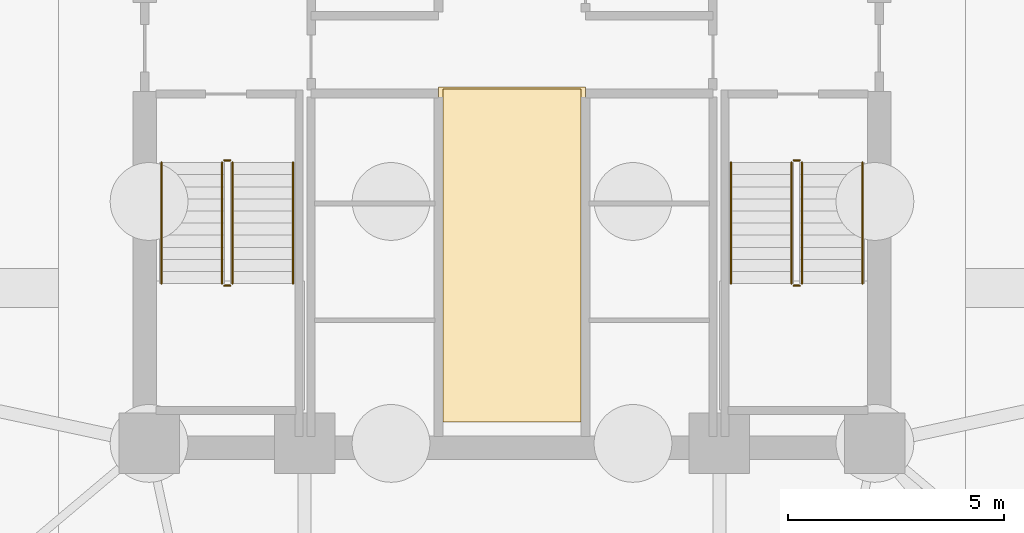
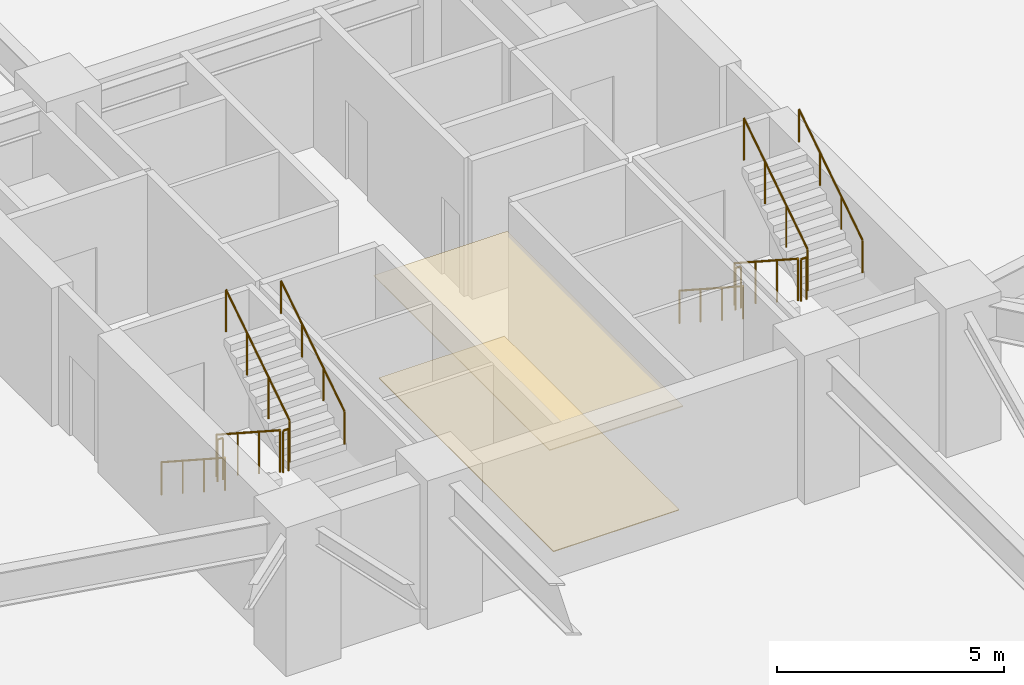
# One storey, part 9 of 10: 12 railings, 2 coverings.
"""IFC4 building model written with IfcOpenShell, lengths in metres."""

from ifc_helpers import new_model, si_unit, direction, frame, origin, origin_2d, place, context, subcontext, project, spatial, polyline, circle, outline, extrude, material, layer, layer_set, type_object, element, save


model = new_model("IFC4")

# Units and contexts
model_context = context("Model", 3, precision=1e-05, world=origin(), true_north=direction((0.0, 1.0)))
body_context = subcontext(model_context, "Body", "Model", "MODEL_VIEW")
ifc_project = project(units=[si_unit("LENGTHUNIT", "METRE"), si_unit("AREAUNIT", "SQUARE_METRE"), si_unit("VOLUMEUNIT", "CUBIC_METRE"), si_unit("PLANEANGLEUNIT", "RADIAN"), si_unit("MASSUNIT", "GRAM", prefix="KILO")], contexts=[model_context])

# Site, building, storey
site_placement = place(None, origin())
site = spatial("IfcSite", under=ifc_project, at=site_placement, CompositionType="ELEMENT")
building_placement = place(site_placement, origin())
building = spatial("IfcBuilding", under=site, at=building_placement, Name="Cairnveth Concourse Tower", CompositionType="ELEMENT")
storey_placement = place(building_placement, frame((0.0, 0.0, -8.0)))
storey = spatial("IfcBuildingStorey", under=building, at=storey_placement, Name="B02", CompositionType="ELEMENT", Elevation=-8.0)

# Covering
ifc_material_1 = material(Name="Acoustic Mineral Fibre Ceiling", Category="gypsum")
ifc_layer_1 = layer(ifc_material_1, 0.02490234375)
ifc_layer_set_1 = layer_set([ifc_layer_1], Name="Acoustic Mineral Fibre Ceiling")
covering_type_1 = type_object("IfcCoveringType", Name="ACOUSTIC MINERAL FIBRE CEILING 25", PredefinedType="CEILING", material=ifc_layer_set_1)
covering_1_placement = place(storey_placement, frame((0.0, 0.0, 2.756103515625)))
element("IfcCovering", 1, at=covering_1_placement, inside=storey, type_object=covering_type_1, Name="Lift Lobby Acoustic Ceiling B02", PredefinedType="CEILING", context=body_context, shape_type="SweptSolid", body=[
    extrude(outline(polyline([(50.300048828125, 31.10009765625), (53.699951171875, 31.10009765625), (53.699951171875, 38.85009765625), (50.300048828125, 38.85009765625), (50.300048828125, 31.10009765625)])), origin(), (0.0, 0.0, 1.0), 0.02490234375),
])

# Railings
ifc_material_2 = material(Name="Steel Grade 350", Category="steel")
railing_type_1 = type_object("IfcRailingType", Name="STAIR GUARDRAIL 1150", PredefinedType="GUARDRAIL", material=ifc_material_2)
railing_1_placement = place(storey_placement, frame((45.2900390625, 37.10009765625, 0.181884765625)))
element("IfcRailing", 2, at=railing_1_placement, inside=storey, type_object=railing_type_1, Name="B02 ST-1 stair guard 1", PredefinedType="GUARDRAIL", context=body_context, shape_type="SweptSolid", body=[
    extrude(circle(Radius=0.02392578125, at=origin_2d()), frame((0.0, 0.0, 1.1259765625), z_axis=(0.0, -0.838705829183, 0.544584733623), x_axis=(1.0, 0.0, 0.0)), (0.0, 0.0, 1.0), 3.338623046875),
    extrude(circle(Radius=0.02099609375, at=origin_2d()), origin(), (0.0, 0.0, 1.0), 1.101806640625),
    extrude(circle(Radius=0.02099609375, at=origin_2d()), frame((0.0, -0.933349609375, 0.60595703125)), (0.0, 0.0, 1.0), 1.101806640625),
    extrude(circle(Radius=0.02099609375, at=origin_2d()), frame((0.0, -1.86669921875, 1.212158203125)), (0.0, 0.0, 1.0), 1.101806640625),
    extrude(circle(Radius=0.02099609375, at=origin_2d()), frame((0.0, -2.800048828125, 1.818115234375)), (0.0, 0.0, 1.0), 1.101806640625),
])
railing_2_placement = place(storey_placement, frame((45.340087890625, 34.25, 2.0)))
element("IfcRailing", 3, at=railing_2_placement, inside=storey, type_object=railing_type_1, Name="B02 ST-1 stair guard 2", PredefinedType="GUARDRAIL", context=body_context, shape_type="SweptSolid", body=[
    extrude(circle(Radius=0.02392578125, at=origin_2d()), frame((0.0, 0.0, 1.1259765625), z_axis=(1.0, 0.0, 0.0), x_axis=(0.0, 1.0, 0.0)), (0.0, 0.0, 1.0), 0.139892578125),
    extrude(circle(Radius=0.02099609375, at=origin_2d()), origin(), (0.0, 0.0, 1.0), 1.101806640625),
    extrude(circle(Radius=0.02099609375, at=origin_2d()), frame((0.139892578125, 0.0, 0.0)), (0.0, 0.0, 1.0), 1.101806640625),
])
railing_3_placement = place(storey_placement, frame((45.530029296875, 34.300048828125, 2.181884765625)))
element("IfcRailing", 4, at=railing_3_placement, inside=storey, type_object=railing_type_1, Name="B02 ST-1 stair guard 3", PredefinedType="GUARDRAIL", context=body_context, shape_type="SweptSolid", body=[
    extrude(circle(Radius=0.02392578125, at=origin_2d()), frame((0.0, 0.0, 1.1259765625), z_axis=(0.0, 0.838705829183, 0.544584733623), x_axis=(-1.0, 0.0, 0.0)), (0.0, 0.0, 1.0), 3.338623046875),
    extrude(circle(Radius=0.02099609375, at=origin_2d()), origin(), (0.0, 0.0, 1.0), 1.101806640625),
    extrude(circle(Radius=0.02099609375, at=origin_2d()), frame((0.0, 0.933349609375, 0.60595703125)), (0.0, 0.0, 1.0), 1.101806640625),
    extrude(circle(Radius=0.02099609375, at=origin_2d()), frame((0.0, 1.86669921875, 1.212158203125)), (0.0, 0.0, 1.0), 1.101806640625),
    extrude(circle(Radius=0.02099609375, at=origin_2d()), frame((0.0, 2.800048828125, 1.818115234375)), (0.0, 0.0, 1.0), 1.101806640625),
])
railing_4_placement = place(storey_placement, frame((45.340087890625, 37.14990234375, 0.0)))
element("IfcRailing", 5, at=railing_4_placement, inside=storey, type_object=railing_type_1, Name="B02 ST-1 stair guard 4", PredefinedType="GUARDRAIL", context=body_context, shape_type="SweptSolid", body=[
    extrude(circle(Radius=0.02392578125, at=origin_2d()), frame((0.0, 0.0, 1.1259765625), z_axis=(1.0, 0.0, 0.0), x_axis=(0.0, 1.0, 0.0)), (0.0, 0.0, 1.0), 0.139892578125),
    extrude(circle(Radius=0.02099609375, at=origin_2d()), origin(), (0.0, 0.0, 1.0), 1.101806640625),
    extrude(circle(Radius=0.02099609375, at=origin_2d()), frame((0.139892578125, 0.0, 0.0)), (0.0, 0.0, 1.0), 1.101806640625),
])
railing_5_placement = place(storey_placement, frame((58.469970703125, 37.10009765625, 0.181884765625)))
element("IfcRailing", 6, at=railing_5_placement, inside=storey, type_object=railing_type_1, Name="B02 ST-2 stair guard 1", PredefinedType="GUARDRAIL", context=body_context, shape_type="SweptSolid", body=[
    extrude(circle(Radius=0.02392578125, at=origin_2d()), frame((0.0, 0.0, 1.1259765625), z_axis=(0.0, -0.838705829183, 0.544584733623), x_axis=(1.0, 0.0, 0.0)), (0.0, 0.0, 1.0), 3.338623046875),
    extrude(circle(Radius=0.02099609375, at=origin_2d()), origin(), (0.0, 0.0, 1.0), 1.101806640625),
    extrude(circle(Radius=0.02099609375, at=origin_2d()), frame((0.0, -0.933349609375, 0.60595703125)), (0.0, 0.0, 1.0), 1.101806640625),
    extrude(circle(Radius=0.02099609375, at=origin_2d()), frame((0.0, -1.86669921875, 1.212158203125)), (0.0, 0.0, 1.0), 1.101806640625),
    extrude(circle(Radius=0.02099609375, at=origin_2d()), frame((0.0, -2.800048828125, 1.818115234375)), (0.0, 0.0, 1.0), 1.101806640625),
])
railing_6_placement = place(storey_placement, frame((58.52001953125, 34.25, 2.0)))
element("IfcRailing", 7, at=railing_6_placement, inside=storey, type_object=railing_type_1, Name="B02 ST-2 stair guard 2", PredefinedType="GUARDRAIL", context=body_context, shape_type="SweptSolid", body=[
    extrude(circle(Radius=0.02392578125, at=origin_2d()), frame((0.0, 0.0, 1.1259765625), z_axis=(1.0, 0.0, 0.0), x_axis=(0.0, 1.0, 0.0)), (0.0, 0.0, 1.0), 0.139892578125),
    extrude(circle(Radius=0.02099609375, at=origin_2d()), origin(), (0.0, 0.0, 1.0), 1.101806640625),
    extrude(circle(Radius=0.02099609375, at=origin_2d()), frame((0.139892578125, 0.0, 0.0)), (0.0, 0.0, 1.0), 1.101806640625),
])
railing_7_placement = place(storey_placement, frame((58.7099609375, 34.300048828125, 2.181884765625)))
element("IfcRailing", 8, at=railing_7_placement, inside=storey, type_object=railing_type_1, Name="B02 ST-2 stair guard 3", PredefinedType="GUARDRAIL", context=body_context, shape_type="SweptSolid", body=[
    extrude(circle(Radius=0.02392578125, at=origin_2d()), frame((0.0, 0.0, 1.1259765625), z_axis=(0.0, 0.838705829183, 0.544584733623), x_axis=(-1.0, 0.0, 0.0)), (0.0, 0.0, 1.0), 3.338623046875),
    extrude(circle(Radius=0.02099609375, at=origin_2d()), origin(), (0.0, 0.0, 1.0), 1.101806640625),
    extrude(circle(Radius=0.02099609375, at=origin_2d()), frame((0.0, 0.933349609375, 0.60595703125)), (0.0, 0.0, 1.0), 1.101806640625),
    extrude(circle(Radius=0.02099609375, at=origin_2d()), frame((0.0, 1.86669921875, 1.212158203125)), (0.0, 0.0, 1.0), 1.101806640625),
    extrude(circle(Radius=0.02099609375, at=origin_2d()), frame((0.0, 2.800048828125, 1.818115234375)), (0.0, 0.0, 1.0), 1.101806640625),
])
railing_8_placement = place(storey_placement, frame((58.52001953125, 37.14990234375, 0.0)))
element("IfcRailing", 9, at=railing_8_placement, inside=storey, type_object=railing_type_1, Name="B02 ST-2 stair guard 4", PredefinedType="GUARDRAIL", context=body_context, shape_type="SweptSolid", body=[
    extrude(circle(Radius=0.02392578125, at=origin_2d()), frame((0.0, 0.0, 1.1259765625), z_axis=(1.0, 0.0, 0.0), x_axis=(0.0, 1.0, 0.0)), (0.0, 0.0, 1.0), 0.139892578125),
    extrude(circle(Radius=0.02099609375, at=origin_2d()), origin(), (0.0, 0.0, 1.0), 1.101806640625),
    extrude(circle(Radius=0.02099609375, at=origin_2d()), frame((0.139892578125, 0.0, 0.0)), (0.0, 0.0, 1.0), 1.101806640625),
])
railing_type_2 = type_object("IfcRailingType", Name="STAIR WALL HANDRAIL 900", PredefinedType="HANDRAIL", material=ifc_material_2)
railing_9_placement = place(storey_placement, frame((43.889892578125, 37.10009765625, 0.181884765625)))
element("IfcRailing", 10, at=railing_9_placement, inside=storey, type_object=railing_type_2, Name="B02 ST-1 stair handrail 1", PredefinedType="HANDRAIL", context=body_context, shape_type="SweptSolid", body=[
    extrude(circle(Radius=0.02392578125, at=origin_2d()), frame((0.0, 0.0, 0.8759765625), z_axis=(0.0, -0.838705829183, 0.544584733623), x_axis=(1.0, 0.0, 0.0)), (0.0, 0.0, 1.0), 3.338623046875),
    extrude(circle(Radius=0.02099609375, at=origin_2d()), origin(), (0.0, 0.0, 1.0), 0.851806640625),
    extrude(circle(Radius=0.02099609375, at=origin_2d()), frame((0.0, -0.933349609375, 0.60595703125)), (0.0, 0.0, 1.0), 0.851806640625),
    extrude(circle(Radius=0.02099609375, at=origin_2d()), frame((0.0, -1.86669921875, 1.212158203125)), (0.0, 0.0, 1.0), 0.851806640625),
    extrude(circle(Radius=0.02099609375, at=origin_2d()), frame((0.0, -2.800048828125, 1.818115234375)), (0.0, 0.0, 1.0), 0.851806640625),
])
railing_10_placement = place(storey_placement, frame((46.929931640625, 34.300048828125, 2.181884765625)))
element("IfcRailing", 11, at=railing_10_placement, inside=storey, type_object=railing_type_2, Name="B02 ST-1 stair handrail 2", PredefinedType="HANDRAIL", context=body_context, shape_type="SweptSolid", body=[
    extrude(circle(Radius=0.02392578125, at=origin_2d()), frame((0.0, 0.0, 0.8759765625), z_axis=(0.0, 0.838705829183, 0.544584733623), x_axis=(-1.0, 0.0, 0.0)), (0.0, 0.0, 1.0), 3.338623046875),
    extrude(circle(Radius=0.02099609375, at=origin_2d()), origin(), (0.0, 0.0, 1.0), 0.851806640625),
    extrude(circle(Radius=0.02099609375, at=origin_2d()), frame((0.0, 0.933349609375, 0.60595703125)), (0.0, 0.0, 1.0), 0.851806640625),
    extrude(circle(Radius=0.02099609375, at=origin_2d()), frame((0.0, 1.86669921875, 1.212158203125)), (0.0, 0.0, 1.0), 0.851806640625),
    extrude(circle(Radius=0.02099609375, at=origin_2d()), frame((0.0, 2.800048828125, 1.818115234375)), (0.0, 0.0, 1.0), 0.851806640625),
])
railing_11_placement = place(storey_placement, frame((57.070068359375, 37.10009765625, 0.181884765625)))
element("IfcRailing", 12, at=railing_11_placement, inside=storey, type_object=railing_type_2, Name="B02 ST-2 stair handrail 1", PredefinedType="HANDRAIL", context=body_context, shape_type="SweptSolid", body=[
    extrude(circle(Radius=0.02392578125, at=origin_2d()), frame((0.0, 0.0, 0.8759765625), z_axis=(0.0, -0.838705829183, 0.544584733623), x_axis=(1.0, 0.0, 0.0)), (0.0, 0.0, 1.0), 3.338623046875),
    extrude(circle(Radius=0.02099609375, at=origin_2d()), origin(), (0.0, 0.0, 1.0), 0.851806640625),
    extrude(circle(Radius=0.02099609375, at=origin_2d()), frame((0.0, -0.933349609375, 0.60595703125)), (0.0, 0.0, 1.0), 0.851806640625),
    extrude(circle(Radius=0.02099609375, at=origin_2d()), frame((0.0, -1.86669921875, 1.212158203125)), (0.0, 0.0, 1.0), 0.851806640625),
    extrude(circle(Radius=0.02099609375, at=origin_2d()), frame((0.0, -2.800048828125, 1.818115234375)), (0.0, 0.0, 1.0), 0.851806640625),
])
railing_12_placement = place(storey_placement, frame((60.110107421875, 34.300048828125, 2.181884765625)))
element("IfcRailing", 13, at=railing_12_placement, inside=storey, type_object=railing_type_2, Name="B02 ST-2 stair handrail 2", PredefinedType="HANDRAIL", context=body_context, shape_type="SweptSolid", body=[
    extrude(circle(Radius=0.02392578125, at=origin_2d()), frame((0.0, 0.0, 0.8759765625), z_axis=(0.0, 0.838705829183, 0.544584733623), x_axis=(-1.0, 0.0, 0.0)), (0.0, 0.0, 1.0), 3.338623046875),
    extrude(circle(Radius=0.02099609375, at=origin_2d()), origin(), (0.0, 0.0, 1.0), 0.851806640625),
    extrude(circle(Radius=0.02099609375, at=origin_2d()), frame((0.0, 0.933349609375, 0.60595703125)), (0.0, 0.0, 1.0), 0.851806640625),
    extrude(circle(Radius=0.02099609375, at=origin_2d()), frame((0.0, 1.86669921875, 1.212158203125)), (0.0, 0.0, 1.0), 0.851806640625),
    extrude(circle(Radius=0.02099609375, at=origin_2d()), frame((0.0, 2.800048828125, 1.818115234375)), (0.0, 0.0, 1.0), 0.851806640625),
])

# Covering
ifc_material_3 = material(Name="Vitrified Stoneware Tile Flooring", Category="masonry")
ifc_layer_2 = layer(ifc_material_3, 0.02001953125)
ifc_layer_set_2 = layer_set([ifc_layer_2], Name="Vitrified Stoneware Tile Flooring")
covering_type_2 = type_object("IfcCoveringType", Name="VITRIFIED STONEWARE LOBBY FLOORING 20", PredefinedType="FLOORING", material=ifc_layer_set_2)
covering_2_placement = place(storey_placement, origin())
element("IfcCovering", 14, at=covering_2_placement, inside=storey, type_object=covering_type_2, Name="Lift Lobby Stoneware Flooring B02", PredefinedType="FLOORING", context=body_context, shape_type="SweptSolid", body=[
    extrude(outline(polyline([(50.39990234375, 31.10009765625), (53.60009765625, 31.10009765625), (53.60009765625, 38.800048828125), (50.39990234375, 38.800048828125), (50.39990234375, 31.10009765625)])), origin(), (0.0, 0.0, 1.0), 0.02001953125),
])

save(model, "model.ifc")
